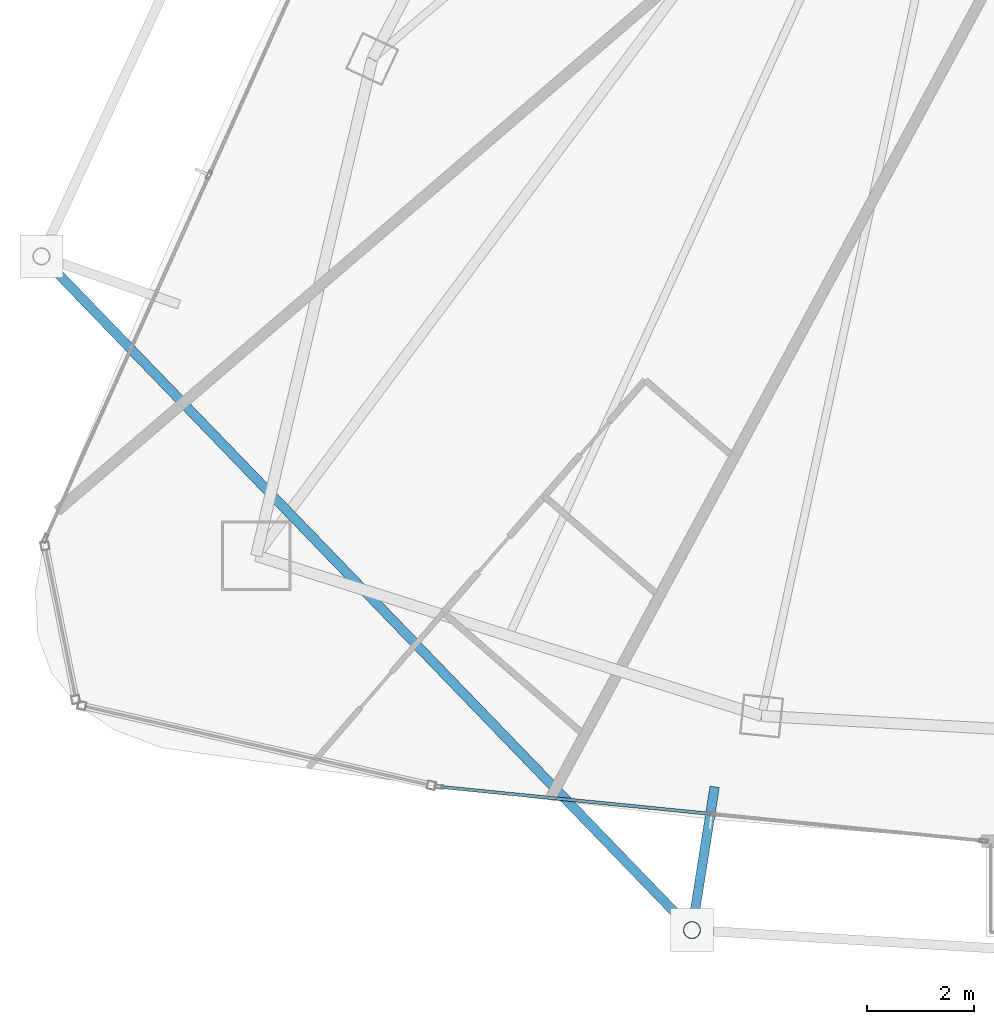
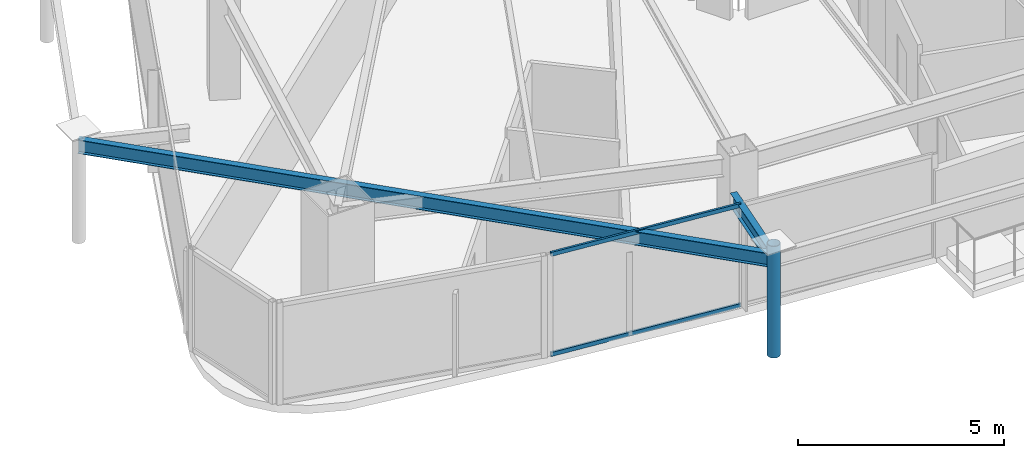
# One storey, part 3 of 30: 3 members, 2 beams, 1 element without a shape of its own.
"""IFC4 building model written with IfcOpenShell, lengths in metres."""

import ifcopenshell
import ifcopenshell.guid

model = None  # the IFC model being written
_history = None  # IfcOwnerHistory: only IFC2X3 demands one
_inside = {}  # id of a spatial element -> (the spatial element, [elements in it])
_under = {}  # id of a project, library or spatial element -> (it, [spatial elements below it])
_declared = {}  # id of a project -> (the project, [libraries it declares])
_typed = {}  # id of a type object -> (the type object, [elements of that type])
_made_of = {}  # id of a material, layer set ... -> (it, [elements and type objects made of it])


def new_model(schema):
    """Start an empty IFC model of exactly this schema.

    Asked for "IFC4X3", IfcOpenShell would pick the latest addendum, in which some entities
    have other attributes; the version numbers below select the first issue.
    IFC2X3 requires an IfcOwnerHistory on every rooted entity: one is made here for all.
    """
    global model, _history
    if schema == "IFC4X3":
        model = ifcopenshell.file(schema_version=(4, 3, 0, 0))
    else:
        model = ifcopenshell.file(schema=schema)
    _inside.clear()
    _under.clear()
    _declared.clear()
    _typed.clear()
    _made_of.clear()
    _history = None
    if model.schema == "IFC2X3":
        org = make("IfcOrganization", Name="unknown")
        user = make(
            "IfcPersonAndOrganization",
            ThePerson=make("IfcPerson", FamilyName="unknown"),
            TheOrganization=org,
        )
        app = make(
            "IfcApplication",
            ApplicationDeveloper=org,
            Version="unknown",
            ApplicationFullName="unknown",
            ApplicationIdentifier="unknown",
        )
        _history = make(
            "IfcOwnerHistory",
            OwningUser=user,
            OwningApplication=app,
            ChangeAction="ADDED",
            CreationDate=0,
        )
    return model


def make(cls, **values):
    """One entity of the class cls with the attributes given. An attribute that is None is left unset."""
    return model.create_entity(
        cls, **{name: value for name, value in values.items() if value is not None}
    )


def rooted(cls, **values):
    """An entity with a GlobalId (a new one), such as an element, a storey or a relation."""
    return make(cls, GlobalId=ifcopenshell.guid.new(), OwnerHistory=_history, **values)


def si_unit(unit_type, name, prefix=None):
    """IfcSIUnit, for example si_unit("LENGTHUNIT", "METRE", prefix="MILLI")."""
    return make("IfcSIUnit", UnitType=unit_type, Prefix=prefix, Name=name)


def assignment(units):
    """IfcUnitAssignment: the units of a project."""
    return None if units is None else make("IfcUnitAssignment", Units=units)


def point(xyz):
    """IfcCartesianPoint."""
    return None if xyz is None else make("IfcCartesianPoint", Coordinates=xyz)


def direction(xyz):
    """IfcDirection."""
    return None if xyz is None else make("IfcDirection", DirectionRatios=xyz)


def frame(location, z_axis=None, x_axis=None):
    """IfcAxis2Placement3D, a coordinate frame: its origin and axes. An axis left out is left unset."""
    return make(
        "IfcAxis2Placement3D",
        Location=point(location),
        Axis=direction(z_axis),
        RefDirection=direction(x_axis),
    )


def frame_2d(location, x_axis=None):
    """IfcAxis2Placement2D, a coordinate frame in the plane: its origin and x axis."""
    return make(
        "IfcAxis2Placement2D", Location=point(location), RefDirection=direction(x_axis)
    )


def origin():
    """The frame at (0, 0, 0) with its axes left unset."""
    return frame((0.0, 0.0, 0.0))


def origin_2d():
    """The frame at (0, 0) in the plane with its x axis left unset."""
    return frame_2d((0.0, 0.0))


def place(relative_to, where):
    """IfcLocalPlacement: puts the frame where relative to a parent placement (None: the world)."""
    return make(
        "IfcLocalPlacement", PlacementRelTo=relative_to, RelativePlacement=where
    )


def context(
    kind, dimensions, precision=None, world=None, true_north=None, identifier=None
):
    """IfcGeometricRepresentationContext, for example the 3D "Model" context."""
    return make(
        "IfcGeometricRepresentationContext",
        ContextIdentifier=identifier,
        ContextType=kind,
        CoordinateSpaceDimension=dimensions,
        Precision=precision,
        WorldCoordinateSystem=world,
        TrueNorth=true_north,
    )


def subcontext(parent, identifier, kind, view, scale=None):
    """IfcGeometricRepresentationSubContext, for example "Body" below "Model"."""
    return make(
        "IfcGeometricRepresentationSubContext",
        ContextIdentifier=identifier,
        ContextType=kind,
        ParentContext=parent,
        TargetScale=scale,
        TargetView=view,
    )


def project(units=None, contexts=None):
    """IfcProject with its units and contexts."""
    return rooted(
        "IfcProject",
        Name="project",
        RepresentationContexts=contexts,
        UnitsInContext=assignment(units),
    )


def spatial(cls, under=None, at=None, **own):
    """A site, building, storey or space (cls), placed at a placement, below another one or the project."""
    s = rooted(cls, ObjectPlacement=at, **own)
    if under is not None:
        _under.setdefault(under.id(), (under, []))[1].append(s)
    return s


def profile(cls, at=None, kind="AREA", **sizes):
    """A parametric profile (cls). Its sizes go by their IFC names, for example OverallWidth=200.0."""
    return make(cls, ProfileType=kind, Position=at, **sizes)


def hollow_rectangle(**sizes):
    """IfcRectangleHollowProfileDef."""
    return profile("IfcRectangleHollowProfileDef", **sizes)


def hollow_circle(**sizes):
    """IfcCircleHollowProfileDef."""
    return profile("IfcCircleHollowProfileDef", **sizes)


def i_section(**sizes):
    """IfcIShapeProfileDef."""
    return profile("IfcIShapeProfileDef", **sizes)


def extrude(swept, where, along, depth):
    """IfcExtrudedAreaSolid: the profile swept, set in the frame where, extruded along a direction by depth."""
    return make(
        "IfcExtrudedAreaSolid",
        SweptArea=swept,
        Position=where,
        ExtrudedDirection=direction(along),
        Depth=depth,
    )


def shape(context_of_items, identifier, shape_type, items):
    """IfcShapeRepresentation: the items that make up one representation, for example the "Body"."""
    return make(
        "IfcShapeRepresentation",
        ContextOfItems=context_of_items,
        RepresentationIdentifier=identifier,
        RepresentationType=shape_type,
        Items=items,
    )


def material(Name=None, Category=None):
    """IfcMaterial."""
    return make("IfcMaterial", Name=Name, Category=Category)


def layer(
    of_material, thickness, ventilated=None, Name=None, Category=None, Priority=None
):
    """IfcMaterialLayer: one layer of a wall or slab, of a material (None: an air gap)."""
    return make(
        "IfcMaterialLayer",
        Material=of_material,
        LayerThickness=thickness,
        IsVentilated=ventilated,
        Name=Name,
        Category=Category,
        Priority=Priority,
    )


def layer_set(layers, Name=None):
    """IfcMaterialLayerSet."""
    return make("IfcMaterialLayerSet", MaterialLayers=layers, LayerSetName=Name)


def material_profile(
    of_material, cross_section, Name=None, Category=None, Priority=None
):
    """IfcMaterialProfile: a cross section and its material."""
    return make(
        "IfcMaterialProfile",
        Name=Name,
        Material=of_material,
        Profile=cross_section,
        Priority=Priority,
        Category=Category,
    )


def profile_set(profiles, Name=None, composite=None):
    """IfcMaterialProfileSet."""
    return make(
        "IfcMaterialProfileSet",
        Name=Name,
        MaterialProfiles=profiles,
        CompositeProfile=composite,
    )


def made_of(thing, what):
    """Note that an element or type object is made of a material, layer set ...; save() writes the relation."""
    if what is not None:
        _made_of.setdefault(what.id(), (what, []))[1].append(thing)
    return thing


def type_object(cls, material=None, **own):
    """A type object (cls), such as IfcWallType, which elements share."""
    return made_of(rooted(cls, **own), material)


def element(
    cls,
    number,
    at=None,
    inside=None,
    cuts=None,
    type_object=None,
    material=None,
    context=None,
    identifier="Body",
    shape_type=None,
    held_by="IfcProductDefinitionShape",
    body=None,
    shapes=None,
    **own,
):
    """One element of the class cls, such as IfcWall. Its Tag is "e" and its number.

    at: its placement. inside: the storey or other place that contains it. cuts: it is an
    opening in that element (IfcRelVoidsElement). A single representation is given by context,
    identifier, shape_type and body (its items); several are given by shapes. held_by: the class
    of the entity that holds the representations. save() writes the other relations.
    """
    e = rooted(cls, Tag="e%d" % number, ObjectPlacement=at, **own)
    if body is not None:
        shapes = [shape(context, identifier, shape_type, body)]
    if shapes is not None:
        e.Representation = make(held_by, Representations=shapes)
    if inside is not None:
        _inside.setdefault(inside.id(), (inside, []))[1].append(e)
    if cuts is not None:
        rooted(
            "IfcRelVoidsElement", RelatingBuildingElement=cuts, RelatedOpeningElement=e
        )
    if type_object is not None:
        _typed.setdefault(type_object.id(), (type_object, []))[1].append(e)
    return made_of(e, material)


def aggregate(whole, parts):
    """IfcRelAggregates: a whole, such as a stair, and the parts it consists of."""
    return rooted("IfcRelAggregates", RelatingObject=whole, RelatedObjects=parts)


def save(model, path):
    """Write the relations noted so far, then the file.

    IfcRelAggregates (storeys below a building ...), IfcRelContainedInSpatialStructure (elements
    in a storey), IfcRelDefinesByType, IfcRelAssociatesMaterial and IfcRelDeclares: one each for
    every whole, place, type object, material and project.
    """
    for whole, parts in _under.values():
        aggregate(whole, parts)
    for where, things in _inside.values():
        rooted(
            "IfcRelContainedInSpatialStructure",
            RelatedElements=things,
            RelatingStructure=where,
        )
    for kind, things in _typed.values():
        rooted("IfcRelDefinesByType", RelatedObjects=things, RelatingType=kind)
    for what, things in _made_of.values():
        rooted("IfcRelAssociatesMaterial", RelatedObjects=things, RelatingMaterial=what)
    for by, libraries in _declared.values():
        rooted("IfcRelDeclares", RelatingContext=by, RelatedDefinitions=libraries)
    model.write(path)


model = new_model("IFC4")

# Units and contexts
model_context = context("Model", 3, precision=1e-05, world=origin(), true_north=direction((0.0, 1.0)))
body_context = subcontext(model_context, "Body", "Model", "MODEL_VIEW")
ifc_project = project(units=[si_unit("LENGTHUNIT", "METRE"), si_unit("AREAUNIT", "SQUARE_METRE"), si_unit("VOLUMEUNIT", "CUBIC_METRE"), si_unit("PLANEANGLEUNIT", "RADIAN"), si_unit("MASSUNIT", "GRAM", prefix="KILO")], contexts=[model_context])

# Site, building, storey
site_placement = place(None, origin())
site = spatial("IfcSite", under=ifc_project, at=site_placement, CompositionType="ELEMENT")
building_placement = place(site_placement, origin())
building = spatial("IfcBuilding", under=site, at=building_placement, Name="Orvanel Arch Residences", CompositionType="ELEMENT")
storey_placement = place(building_placement, frame((0.0, 0.0, 232.699951171875)))
storey = spatial("IfcBuildingStorey", under=building, at=storey_placement, Name="L66", CompositionType="ELEMENT", Elevation=232.699951171875)

# Beams
ifc_material_1 = material(Name="Structural steel AS/NZS 3679.1 Grade 300 (300 MPa)", Category="steel")
ifc_material_profile_1 = material_profile(ifc_material_1, i_section(OverallWidth=0.177978515625, OverallDepth=0.406005859375, WebThickness=0.0078125, FlangeThickness=0.0126953125, at=origin_2d()), Name="410UB59.7")
ifc_profile_set_1 = profile_set([ifc_material_profile_1], Name="Structural steel AS/NZS 3679.1 Grade 300 (300 MPa)")
beam_type = type_object("IfcBeamType", Name="OB-410UB-EXT", PredefinedType="SPANDREL", material=ifc_profile_set_1)
beam_1_placement = place(storey_placement, frame((10.179931640625, 15.950927734375, 2.817138671875), z_axis=(0.694614412616, -0.719382247339, 0.0), x_axis=(0.719382247339, 0.694614412616, 0.0)))
element("IfcBeam", 1, at=beam_1_placement, inside=storey, type_object=beam_type, Name="L66 Outer Perimeter Floor Ring Beam 04", PredefinedType="SPANDREL", context=body_context, shape_type="SweptSolid", body=[
    extrude(i_section(OverallWidth=0.177978515625, OverallDepth=0.406005859375, WebThickness=0.0078125, FlangeThickness=0.0126953125, at=origin_2d()), origin(), (0.0, 0.0, 1.0), 17.51611328125),
])
beam_2_placement = place(storey_placement, frame((22.77197265625, 6.030029296875, 2.817138671875), z_axis=(-0.156646345535, -0.987654758724, 0.0), x_axis=(0.987654758724, -0.156646345535, 0.0)))
element("IfcBeam", 2, at=beam_2_placement, inside=storey, type_object=beam_type, Name="L66 Outer Frame Radial Tie Beam 05", PredefinedType="SPANDREL", context=body_context, shape_type="SweptSolid", body=[
    extrude(i_section(OverallWidth=0.177978515625, OverallDepth=0.406005859375, WebThickness=0.0078125, FlangeThickness=0.0126953125, at=origin_2d()), origin(), (0.0, 0.0, 1.0), 2.71337890625),
])

# Member
ifc_material_2 = material(Name="Structural steel AS/NZS 1163 C350L0 (Grade 350)", Category="steel")
ifc_material_profile_2 = material_profile(ifc_material_2, hollow_circle(Radius=0.162109375, WallThickness=0.0126953125, at=origin_2d()), Name="CHS324x12.7")
ifc_profile_set_2 = profile_set([ifc_material_profile_2], Name="Structural steel AS/NZS 1163 C350L0 (Grade 350)")
member_type_1 = type_object("IfcMemberType", Name="ST-324CHS-EXT", PredefinedType="STRUT", material=ifc_profile_set_2)
member_1_placement = place(storey_placement, frame((22.346923828125, 3.35009765625, 0.0), z_axis=(0.0, 0.0, 1.0), x_axis=(1.0, 0.0, 0.0)))
element("IfcMember", 3, at=member_1_placement, inside=storey, type_object=member_type_1, Name="L66 Outer Perimeter Frame Post 05", PredefinedType="STRUT", context=body_context, shape_type="SweptSolid", body=[
    extrude(hollow_circle(Radius=0.162109375, WallThickness=0.0126953125, at=origin_2d()), origin(), (0.0, 0.0, 1.0), 3.300048828125),
])

# Curtain wall, members
ifc_material_3 = material(Name="Bronze-anodised aluminium AA6063-T6", Category="aluminium")
ifc_layer = layer(ifc_material_3, 0.175048828125)
ifc_layer_set = layer_set([ifc_layer], Name="Bronze-anodised aluminium AA6063-T6")
curtain_wall_type = type_object("IfcCurtainWallType", Name="CW4-HI-SYS", PredefinedType="NOTDEFINED", material=ifc_layer_set)
curtain_wall_placement = place(storey_placement, origin())
curtain_wall = element("IfcCurtainWall", 4, at=curtain_wall_placement, inside=storey, type_object=curtain_wall_type, Name="L66 CW4-HI-SYS Unitised Curtain Wall", PredefinedType="NOTDEFINED")
ifc_material_profile_3 = material_profile(ifc_material_3, hollow_rectangle(XDim=0.06005859375, YDim=0.1201171875, WallThickness=0.00341796875, at=origin_2d()), Name="ALU120x60x3.5")
ifc_profile_set_3 = profile_set([ifc_material_profile_3], Name="Bronze-anodised aluminium AA6063-T6")
member_type_2 = type_object("IfcMemberType", Name="TRN-120x60", PredefinedType="USERDEFINED", material=ifc_profile_set_3)
member_2_placement = place(storey_placement, frame((17.651611328125, 6.026611328125, 0.030029296875), z_axis=(0.995081584648, -0.099058769899, 0.0), x_axis=(0.099058769899, 0.995081584648, 0.0)))
member_2 = element("IfcMember", 5, at=member_2_placement, type_object=member_type_2, Name="CW-S4 transom 1.1", ObjectType="TRANSOM", PredefinedType="USERDEFINED", context=body_context, shape_type="SweptSolid", body=[
    extrude(hollow_rectangle(XDim=0.06005859375, YDim=0.1201171875, WallThickness=0.00341796875, at=origin_2d()), origin(), (0.0, 0.0, 1.0), 5.052490234375),
])
member_3_placement = place(storey_placement, frame((17.651611328125, 6.026611328125, 2.989990234375), z_axis=(0.995081584648, -0.099058769899, 0.0), x_axis=(0.099058769899, 0.995081584648, 0.0)))
member_3 = element("IfcMember", 6, at=member_3_placement, type_object=member_type_2, Name="CW-S4 transom 1.2", ObjectType="TRANSOM", PredefinedType="USERDEFINED", context=body_context, shape_type="SweptSolid", body=[
    extrude(hollow_rectangle(XDim=0.06005859375, YDim=0.1201171875, WallThickness=0.00341796875, at=origin_2d()), origin(), (0.0, 0.0, 1.0), 5.052490234375),
])
aggregate(curtain_wall, [member_2, member_3])

save(model, "model.ifc")
